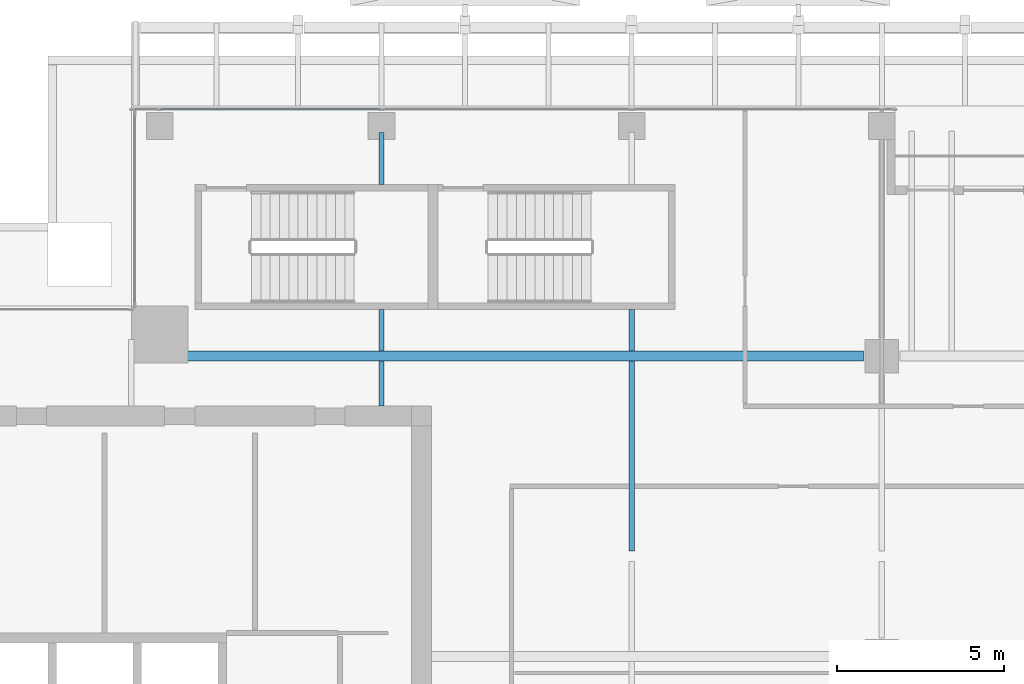
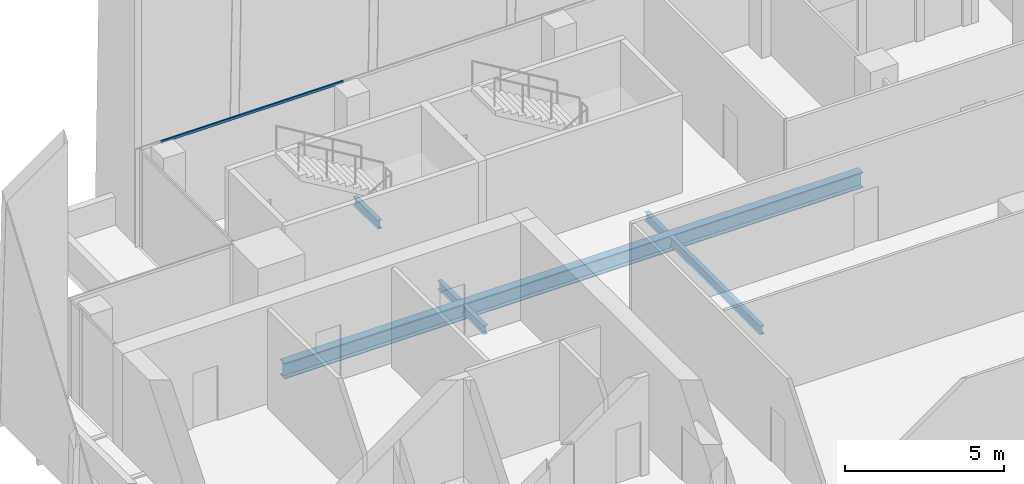
# One storey, part 14 of 32: 6 beams, 1 member, 1 element without a shape of its own.
"""IFC4 building model written with IfcOpenShell, lengths in metres."""

from ifc_helpers import new_model, si_unit, direction, frame, origin, origin_2d, place, context, subcontext, project, spatial, hollow_rectangle, i_section, extrude, source, transform, mapped, material, material_profile, profile_set, type_object, element, aggregate, save


model = new_model("IFC4")

# Units and contexts
model_context = context("Model", 3, precision=1e-05, world=origin(), true_north=direction((0.0, 1.0)))
body_context = subcontext(model_context, "Body", "Model", "MODEL_VIEW")
ifc_project = project(units=[si_unit("LENGTHUNIT", "METRE"), si_unit("AREAUNIT", "SQUARE_METRE"), si_unit("VOLUMEUNIT", "CUBIC_METRE"), si_unit("PLANEANGLEUNIT", "RADIAN"), si_unit("MASSUNIT", "GRAM", prefix="KILO")], contexts=[model_context])

# Site, building, storey
site_placement = place(None, origin())
site = spatial("IfcSite", under=ifc_project, at=site_placement, CompositionType="ELEMENT")
building_placement = place(site_placement, origin())
building = spatial("IfcBuilding", under=site, at=building_placement, Name="Khomas Fold Tower", CompositionType="ELEMENT")
storey_placement = place(building_placement, frame((0.0, 0.0, 282.199951171875)))
storey = spatial("IfcBuildingStorey", under=building, at=storey_placement, Name="L63", CompositionType="ELEMENT", Elevation=282.199951171875)

# Beams
ifc_material_1 = material(Name="Steel S355", Category="steel")
ifc_material_profile_1 = material_profile(ifc_material_1, i_section(OverallWidth=0.159912109375, OverallDepth=0.330078125, WebThickness=0.007568359375, FlangeThickness=0.011474609375, at=origin_2d()), Name="IPE 330")
ifc_profile_set_1 = profile_set([ifc_material_profile_1], Name="Steel S355")
beam_type_1 = type_object("IfcBeamType", Name="IPE 330 beam JB1", PredefinedType="BEAM", material=ifc_profile_set_1)
shared_shape_1 = source(origin(), body_context, "Body", "SweptSolid", [
    extrude(i_section(OverallWidth=0.159912109375, OverallDepth=0.330078125, WebThickness=0.007568359375, FlangeThickness=0.011474609375, at=origin_2d()), origin(), (0.0, 0.0, 1.0), 1.25),
])
for number, where, z_axis, x_axis, name in (
    (1, (19.5, 40.64990234375, -0.4150390625), (0.0, 1.0, 0.0), (-1.0, 0.0, 0.0), "JB1"),
    (2, (27.0, 40.64990234375, -0.4150390625), (0.0, 1.0, 0.0), (-1.0, 0.0, 0.0), "JB1"),
):
    element("IfcBeam", number, at=place(storey_placement, frame(where, z_axis=z_axis, x_axis=x_axis)), inside=storey, type_object=beam_type_1, Name=name, PredefinedType="BEAM", context=body_context, shape_type="MappedRepresentation", body=[
        mapped(shared_shape_1, transform((0.0, 0.0, 0.0))),
    ])
shared_shape_2 = source(origin(), body_context, "Body", "SweptSolid", [
    extrude(i_section(OverallWidth=0.159912109375, OverallDepth=0.330078125, WebThickness=0.007568359375, FlangeThickness=0.011474609375, at=origin_2d()), origin(), (0.0, 0.0, 1.0), 1.35009765625),
])
beam_1_placement = place(storey_placement, frame((19.5, 39.0, -0.4150390625), z_axis=(0.0, 1.0, 0.0), x_axis=(-1.0, 0.0, 0.0)))
element("IfcBeam", 3, at=beam_1_placement, inside=storey, type_object=beam_type_1, Name="JB1", PredefinedType="BEAM", context=body_context, shape_type="MappedRepresentation", body=[
    mapped(shared_shape_2, transform((0.0, 0.0, 0.0))),
])
shared_shape_3 = source(origin(), body_context, "Body", "SweptSolid", [
    extrude(i_section(OverallWidth=0.159912109375, OverallDepth=0.330078125, WebThickness=0.007568359375, FlangeThickness=0.011474609375, at=origin_2d()), origin(), (0.0, 0.0, 1.0), 5.69921875),
])
beam_2_placement = place(storey_placement, frame((27.0, 34.65087890625, -0.4150390625), z_axis=(0.0, 1.0, 0.0), x_axis=(-1.0, 0.0, 0.0)))
element("IfcBeam", 4, at=beam_2_placement, inside=storey, type_object=beam_type_1, Name="JB1", PredefinedType="BEAM", context=body_context, shape_type="MappedRepresentation", body=[
    mapped(shared_shape_3, transform((0.0, 0.0, 0.0))),
])
ifc_material_2 = material(Name="Steel S355", Category="steel")
ifc_material_profile_2 = material_profile(ifc_material_2, i_section(OverallWidth=0.300048828125, OverallDepth=0.60009765625, WebThickness=0.015380859375, FlangeThickness=0.030029296875, at=origin_2d()), Name="HE 600 B")
ifc_profile_set_2 = profile_set([ifc_material_profile_2], Name="Steel S355")
beam_type_2 = type_object("IfcBeamType", Name="HE 600 B beam GB5", PredefinedType="BEAM", material=ifc_profile_set_2)
shared_shape_4 = source(origin(), body_context, "Body", "SweptSolid", [
    extrude(i_section(OverallWidth=0.300048828125, OverallDepth=0.60009765625, WebThickness=0.015380859375, FlangeThickness=0.030029296875, at=origin_2d()), origin(), (0.0, 0.0, 1.0), 20.949951171875),
])
beam_3_placement = place(storey_placement, frame((13.0, 40.5, -0.550048828125), z_axis=(1.0, 0.0, 0.0), x_axis=(0.0, 1.0, 0.0)))
element("IfcBeam", 5, at=beam_3_placement, inside=storey, type_object=beam_type_2, Name="GB5", PredefinedType="BEAM", context=body_context, shape_type="MappedRepresentation", body=[
    mapped(shared_shape_4, transform((0.0, 0.0, 0.0))),
])
shared_shape_5 = source(origin(), body_context, "Body", "SweptSolid", [
    extrude(i_section(OverallWidth=0.159912109375, OverallDepth=0.330078125, WebThickness=0.007568359375, FlangeThickness=0.011474609375, at=origin_2d()), origin(), (0.0, 0.0, 1.0), 1.550048828125),
])
beam_4_placement = place(storey_placement, frame((19.5, 45.64990234375, -0.4150390625), z_axis=(0.0, 1.0, 0.0), x_axis=(-1.0, 0.0, 0.0)))
element("IfcBeam", 6, at=beam_4_placement, inside=storey, type_object=beam_type_1, Name="JB1", PredefinedType="BEAM", context=body_context, shape_type="MappedRepresentation", body=[
    mapped(shared_shape_5, transform((0.0, 0.0, 0.0))),
])

# Curtain wall, member
ifc_material_3 = material(Name="Aluminium framed double glazing", Category="aluminium")
curtain_wall_type = type_object("IfcCurtainWallType", Name="SK-Unitised clear-glass wall, upper floors CW3", PredefinedType="NOTDEFINED", material=ifc_material_3)
curtain_wall_placement = place(storey_placement, origin())
curtain_wall = element("IfcCurtainWall", 7, at=curtain_wall_placement, inside=storey, type_object=curtain_wall_type, Name="CW3 run L63 06-1", PredefinedType="NOTDEFINED")
ifc_material_4 = material(Name="Aluminium", Category="aluminium")
ifc_material_profile_3 = material_profile(ifc_material_4, hollow_rectangle(XDim=0.050048828125, YDim=0.10009765625, WallThickness=0.00390625, at=origin_2d()), Name="SK-Unitised clear-glass wall, upper floors transom CW3-T")
ifc_profile_set_3 = profile_set([ifc_material_profile_3], Name="Aluminium")
member_type = type_object("IfcMemberType", Name="SK-Unitised clear-glass wall, upper floors transom CW3-T", PredefinedType="USERDEFINED", material=ifc_profile_set_3)
shared_shape_6 = source(origin(), body_context, "Body", "SweptSolid", [
    extrude(hollow_rectangle(XDim=0.050048828125, YDim=0.10009765625, WallThickness=0.00390625, at=origin_2d()), origin(), (0.0, 0.0, 1.0), 6.60009765625),
])
member_placement = place(storey_placement, frame((19.47509765625, 47.89990234375, 3.699951171875), z_axis=(-1.0, 0.0, 0.0), x_axis=(0.0, -1.0, 0.0)))
member = element("IfcMember", 8, at=member_placement, type_object=member_type, Name="CW3 transom 4", ObjectType="TRANSOM", PredefinedType="USERDEFINED", context=body_context, shape_type="MappedRepresentation", body=[
    mapped(shared_shape_6, transform((0.0, 0.0, 0.0))),
])
aggregate(curtain_wall, [member])

save(model, "model.ifc")
